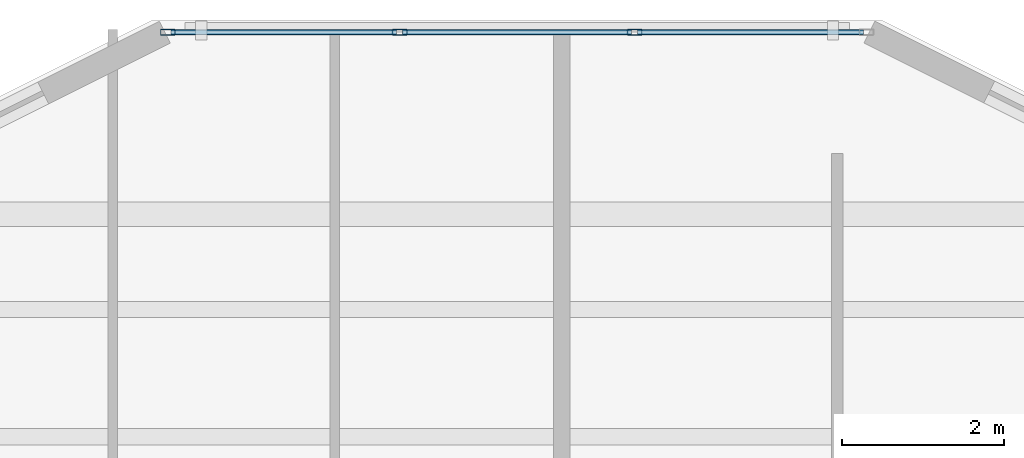
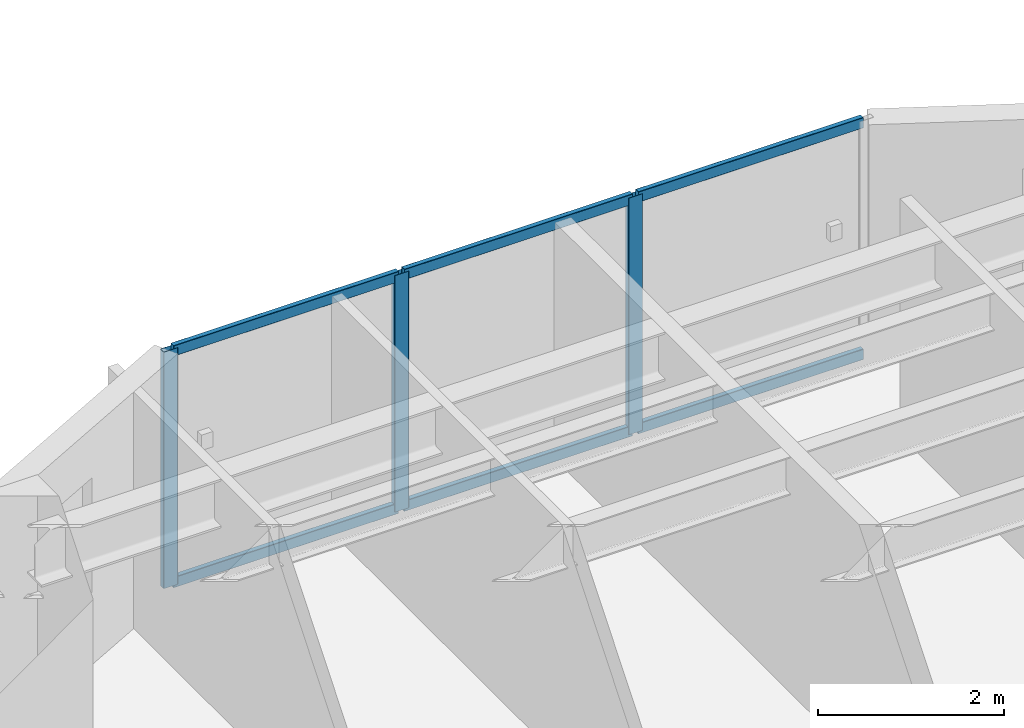
# One storey, part 6 of 21: 9 members, 1 element without a shape of its own.
"""IFC4 building model written with IfcOpenShell, lengths in metres."""

from ifc_helpers import new_model, si_unit, direction, frame, origin, origin_2d, place, context, subcontext, project, spatial, hollow_rectangle, extrude, material, layer, layer_set, material_profile, profile_set, type_object, element, aggregate, save


model = new_model("IFC4")

# Units and contexts
model_context = context("Model", 3, precision=1e-05, world=origin(), true_north=direction((0.0, 1.0)))
body_context = subcontext(model_context, "Body", "Model", "MODEL_VIEW")
ifc_project = project(units=[si_unit("LENGTHUNIT", "METRE"), si_unit("AREAUNIT", "SQUARE_METRE"), si_unit("VOLUMEUNIT", "CUBIC_METRE"), si_unit("PLANEANGLEUNIT", "RADIAN"), si_unit("MASSUNIT", "GRAM", prefix="KILO")], contexts=[model_context])

# Site, building, storey
site_placement = place(None, origin())
site = spatial("IfcSite", under=ifc_project, at=site_placement, CompositionType="ELEMENT")
building_placement = place(site_placement, origin())
building = spatial("IfcBuilding", under=site, at=building_placement, Name="Tarnavaz Court Tower", CompositionType="ELEMENT")
storey_placement = place(building_placement, frame((0.0, 0.0, 40.75)))
storey = spatial("IfcBuildingStorey", under=building, at=storey_placement, Name="L10", CompositionType="ELEMENT", Elevation=40.75)

# Curtain wall, members
ifc_material_1 = material(Name="Anodised Aluminium 6063-T6 and Solar Low-E Glazing", Category="aluminium")
ifc_layer = layer(ifc_material_1, 0.179931640625)
ifc_layer_set = layer_set([ifc_layer], Name="Anodised Aluminium 6063-T6 and Solar Low-E Glazing")
curtain_wall_type = type_object("IfcCurtainWallType", Name="CW-SYS-02", PredefinedType="NOTDEFINED", material=ifc_layer_set)
curtain_wall_placement = place(storey_placement, origin())
curtain_wall = element("IfcCurtainWall", 1, at=curtain_wall_placement, inside=storey, type_object=curtain_wall_type, Name="L10 Iwan Prow Curtain Wall 7", PredefinedType="NOTDEFINED")
ifc_material_2 = material(Name="Anodised Aluminium 6063-T6", Category="aluminium")
ifc_material_profile_1 = material_profile(ifc_material_2, hollow_rectangle(XDim=0.074951171875, YDim=0.179931640625, WallThickness=0.0048828125, InnerFilletRadius=0.0048828125, OuterFilletRadius=0.010009765625, at=origin_2d()), Name="ALU RHS 180X75X5")
ifc_profile_set_1 = profile_set([ifc_material_profile_1], Name="Anodised Aluminium 6063-T6")
member_type_1 = type_object("IfcMemberType", Name="CW-MUL-180", PredefinedType="MULLION", material=ifc_profile_set_1)
member_1_placement = place(storey_placement, frame((-4.3125, 25.050048828125, 0.0), z_axis=(0.0, 0.0, 1.0), x_axis=(0.0, 1.0, 0.0)))
member_1 = element("IfcMember", 2, at=member_1_placement, type_object=member_type_1, Name="CW mullion 1", PredefinedType="MULLION", context=body_context, shape_type="SweptSolid", body=[
    extrude(hollow_rectangle(XDim=0.074951171875, YDim=0.179931640625, WallThickness=0.0048828125, InnerFilletRadius=0.0048828125, OuterFilletRadius=0.010009765625, at=origin_2d()), origin(), (0.0, 0.0, 1.0), 3.10009765625),
])
member_2_placement = place(storey_placement, frame((-1.449951171875, 25.050048828125, 0.0), z_axis=(0.0, 0.0, 1.0), x_axis=(0.0, 1.0, 0.0)))
member_2 = element("IfcMember", 3, at=member_2_placement, type_object=member_type_1, Name="CW mullion 2", PredefinedType="MULLION", context=body_context, shape_type="SweptSolid", body=[
    extrude(hollow_rectangle(XDim=0.074951171875, YDim=0.179931640625, WallThickness=0.0048828125, InnerFilletRadius=0.0048828125, OuterFilletRadius=0.010009765625, at=origin_2d()), origin(), (0.0, 0.0, 1.0), 3.10009765625),
])
member_3_placement = place(storey_placement, frame((1.449951171875, 25.050048828125, 0.0), z_axis=(0.0, 0.0, 1.0), x_axis=(0.0, 1.0, 0.0)))
member_3 = element("IfcMember", 4, at=member_3_placement, type_object=member_type_1, Name="CW mullion 3", PredefinedType="MULLION", context=body_context, shape_type="SweptSolid", body=[
    extrude(hollow_rectangle(XDim=0.074951171875, YDim=0.179931640625, WallThickness=0.0048828125, InnerFilletRadius=0.0048828125, OuterFilletRadius=0.010009765625, at=origin_2d()), origin(), (0.0, 0.0, 1.0), 3.10009765625),
])
ifc_material_profile_2 = material_profile(ifc_material_2, hollow_rectangle(XDim=0.06494140625, YDim=0.139892578125, WallThickness=0.00390625, InnerFilletRadius=0.00390625, OuterFilletRadius=0.008056640625, at=origin_2d()), Name="ALU RHS 140X65X4")
ifc_profile_set_2 = profile_set([ifc_material_profile_2], Name="Anodised Aluminium 6063-T6")
member_type_2 = type_object("IfcMemberType", Name="CW-TRN-140", PredefinedType="USERDEFINED", material=ifc_profile_set_2)
member_4_placement = place(storey_placement, frame((-4.27490234375, 25.050048828125, 0.032470703125), z_axis=(1.0, 0.0, 0.0), x_axis=(0.0, 1.0, 0.0)))
member_4 = element("IfcMember", 5, at=member_4_placement, type_object=member_type_2, Name="CW transom 1.1", ObjectType="TRANSOM", PredefinedType="USERDEFINED", context=body_context, shape_type="SweptSolid", body=[
    extrude(hollow_rectangle(XDim=0.06494140625, YDim=0.139892578125, WallThickness=0.00390625, InnerFilletRadius=0.00390625, OuterFilletRadius=0.008056640625, at=origin_2d()), origin(), (0.0, 0.0, 1.0), 2.787353515625),
])
member_5_placement = place(storey_placement, frame((-4.27490234375, 25.050048828125, 3.0673828125), z_axis=(1.0, 0.0, 0.0), x_axis=(0.0, 1.0, 0.0)))
member_5 = element("IfcMember", 6, at=member_5_placement, type_object=member_type_2, Name="CW transom 1.2", ObjectType="TRANSOM", PredefinedType="USERDEFINED", context=body_context, shape_type="SweptSolid", body=[
    extrude(hollow_rectangle(XDim=0.06494140625, YDim=0.139892578125, WallThickness=0.00390625, InnerFilletRadius=0.00390625, OuterFilletRadius=0.008056640625, at=origin_2d()), origin(), (0.0, 0.0, 1.0), 2.787353515625),
])
member_6_placement = place(storey_placement, frame((-1.41259765625, 25.050048828125, 0.032470703125), z_axis=(1.0, 0.0, 0.0), x_axis=(0.0, 1.0, 0.0)))
member_6 = element("IfcMember", 7, at=member_6_placement, type_object=member_type_2, Name="CW transom 2.1", ObjectType="TRANSOM", PredefinedType="USERDEFINED", context=body_context, shape_type="SweptSolid", body=[
    extrude(hollow_rectangle(XDim=0.06494140625, YDim=0.139892578125, WallThickness=0.00390625, InnerFilletRadius=0.00390625, OuterFilletRadius=0.008056640625, at=origin_2d()), origin(), (0.0, 0.0, 1.0), 2.8251953125),
])
member_7_placement = place(storey_placement, frame((-1.41259765625, 25.050048828125, 3.0673828125), z_axis=(1.0, 0.0, 0.0), x_axis=(0.0, 1.0, 0.0)))
member_7 = element("IfcMember", 8, at=member_7_placement, type_object=member_type_2, Name="CW transom 2.2", ObjectType="TRANSOM", PredefinedType="USERDEFINED", context=body_context, shape_type="SweptSolid", body=[
    extrude(hollow_rectangle(XDim=0.06494140625, YDim=0.139892578125, WallThickness=0.00390625, InnerFilletRadius=0.00390625, OuterFilletRadius=0.008056640625, at=origin_2d()), origin(), (0.0, 0.0, 1.0), 2.8251953125),
])
member_8_placement = place(storey_placement, frame((1.487548828125, 25.050048828125, 0.032470703125), z_axis=(1.0, 0.0, 0.0), x_axis=(0.0, 1.0, 0.0)))
member_8 = element("IfcMember", 9, at=member_8_placement, type_object=member_type_2, Name="CW transom 3.1", ObjectType="TRANSOM", PredefinedType="USERDEFINED", context=body_context, shape_type="SweptSolid", body=[
    extrude(hollow_rectangle(XDim=0.06494140625, YDim=0.139892578125, WallThickness=0.00390625, InnerFilletRadius=0.00390625, OuterFilletRadius=0.008056640625, at=origin_2d()), origin(), (0.0, 0.0, 1.0), 2.787353515625),
])
member_9_placement = place(storey_placement, frame((1.487548828125, 25.050048828125, 3.0673828125), z_axis=(1.0, 0.0, 0.0), x_axis=(0.0, 1.0, 0.0)))
member_9 = element("IfcMember", 10, at=member_9_placement, type_object=member_type_2, Name="CW transom 3.2", ObjectType="TRANSOM", PredefinedType="USERDEFINED", context=body_context, shape_type="SweptSolid", body=[
    extrude(hollow_rectangle(XDim=0.06494140625, YDim=0.139892578125, WallThickness=0.00390625, InnerFilletRadius=0.00390625, OuterFilletRadius=0.008056640625, at=origin_2d()), origin(), (0.0, 0.0, 1.0), 2.787353515625),
])
aggregate(curtain_wall, [member_1, member_2, member_3, member_4, member_5, member_6, member_7, member_8, member_9])

save(model, "model.ifc")
